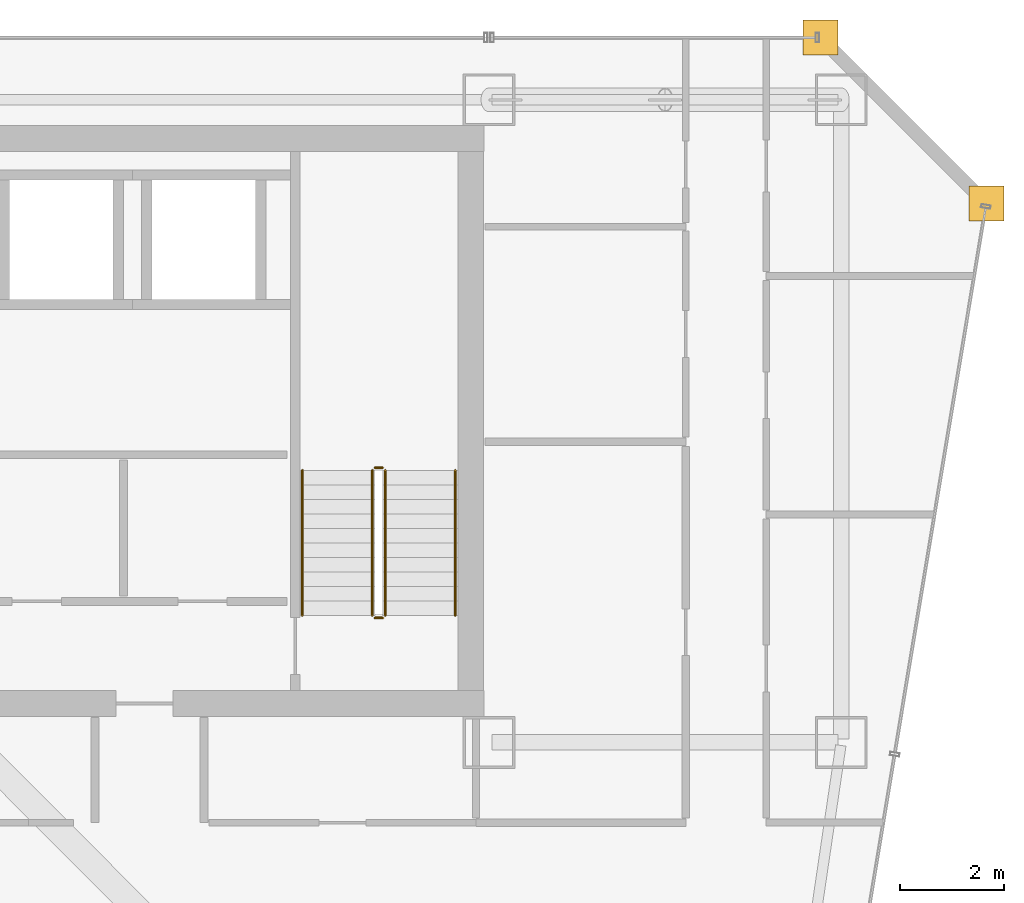
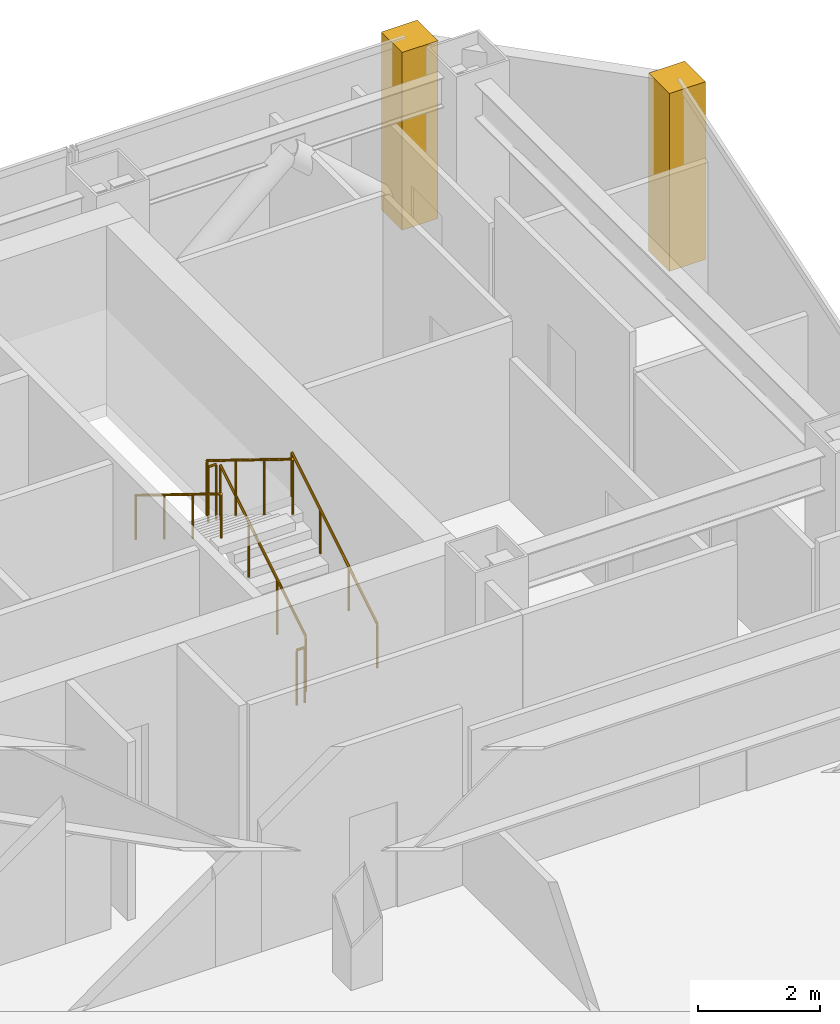
# One storey, part 37 of 37: 6 railings, 2 coverings.
"""IFC4 building model written with IfcOpenShell, lengths in metres."""

from ifc_helpers import new_model, si_unit, direction, frame, origin, origin_2d, place, context, subcontext, project, spatial, polyline, circle, outline, extrude, material, layer, layer_set, type_object, element, save


model = new_model("IFC4")

# Units and contexts
model_context = context("Model", 3, precision=1e-05, world=origin(), true_north=direction((0.0, 1.0)))
body_context = subcontext(model_context, "Body", "Model", "MODEL_VIEW")
ifc_project = project(units=[si_unit("LENGTHUNIT", "METRE"), si_unit("AREAUNIT", "SQUARE_METRE"), si_unit("VOLUMEUNIT", "CUBIC_METRE"), si_unit("PLANEANGLEUNIT", "RADIAN"), si_unit("MASSUNIT", "GRAM", prefix="KILO")], contexts=[model_context])

# Site, building, storey
site_placement = place(None, origin())
site = spatial("IfcSite", under=ifc_project, at=site_placement, CompositionType="ELEMENT")
building_placement = place(site_placement, origin())
building = spatial("IfcBuilding", under=site, at=building_placement, Name="Saevonmaru Cultural Tower", CompositionType="ELEMENT")
storey_placement = place(building_placement, frame((0.0, 0.0, 163.800048828125)))
storey = spatial("IfcBuildingStorey", under=building, at=storey_placement, Name="L36", CompositionType="ELEMENT", Elevation=163.800048828125)

# Coverings
ifc_material_1 = material(Name="Satin Bronze Anodised Aluminium", Category="aluminium")
ifc_layer = layer(ifc_material_1, 0.679931640625, Name="Satin Bronze Anodised Aluminium")
ifc_layer_set = layer_set([ifc_layer], Name="Satin Bronze Anodised Aluminium")
covering_type = type_object("IfcCoveringType", Name="CV-CORNER-CLAD", PredefinedType="CLADDING", material=ifc_layer_set)
covering_1_placement = place(storey_placement, origin())
element("IfcCovering", 1, at=covering_1_placement, inside=storey, type_object=covering_type, Name="L36 Tower Bronze Corner Cladding Pier 9", PredefinedType="CLADDING", context=body_context, shape_type="SweptSolid", body=[
    extrude(outline(polyline([(55.659912109375, 52.4599609375), (56.340087890625, 52.4599609375), (56.340087890625, 53.139892578125), (55.659912109375, 53.139892578125), (55.659912109375, 52.4599609375)])), origin(), (0.0, 0.0, 1.0), 3.550048828125),
])
covering_2_placement = place(storey_placement, origin())
element("IfcCovering", 2, at=covering_2_placement, inside=storey, type_object=covering_type, Name="L36 Tower Bronze Corner Cladding Pier 10", PredefinedType="CLADDING", context=body_context, shape_type="SweptSolid", body=[
    extrude(outline(polyline([(52.4599609375, 55.659912109375), (53.139892578125, 55.659912109375), (53.139892578125, 56.340087890625), (52.4599609375, 56.340087890625), (52.4599609375, 55.659912109375)])), origin(), (0.0, 0.0, 1.0), 3.550048828125),
])

# Railings
ifc_material_2 = material(Name="Architectural Painted Steel", Category="steel")
railing_type_1 = type_object("IfcRailingType", Name="RL-STAIR-GUARD", PredefinedType="GUARDRAIL", material=ifc_material_2)
railing_1_placement = place(storey_placement, frame((44.39990234375, 44.85009765625, 0.172607421875)))
element("IfcRailing", 3, at=railing_1_placement, inside=storey, type_object=railing_type_1, Name="L36 ST-2 stair guard 1", PredefinedType="GUARDRAIL", context=body_context, shape_type="SweptSolid", body=[
    extrude(circle(Radius=0.02392578125, at=origin_2d()), frame((0.0, 0.0, 1.09619140625), z_axis=(0.0, 0.851069175582, 0.525053576669), x_axis=(-1.0, 0.0, 0.0)), (0.0, 0.0, 1.0), 3.289794921875),
    extrude(circle(Radius=0.02099609375, at=origin_2d()), origin(), (0.0, 0.0, 1.0), 1.072021484375),
    extrude(circle(Radius=0.02099609375, at=origin_2d()), frame((0.0, 0.933349609375, 0.57568359375)), (0.0, 0.0, 1.0), 1.072021484375),
    extrude(circle(Radius=0.02099609375, at=origin_2d()), frame((0.0, 1.866455078125, 1.151611328125)), (0.0, 0.0, 1.0), 1.072021484375),
    extrude(circle(Radius=0.02099609375, at=origin_2d()), frame((0.0, 2.7998046875, 1.727294921875)), (0.0, 0.0, 1.0), 1.072021484375),
])
railing_2_placement = place(storey_placement, frame((44.35009765625, 47.699951171875, 1.89990234375)))
element("IfcRailing", 4, at=railing_2_placement, inside=storey, type_object=railing_type_1, Name="L36 ST-2 stair guard 2", PredefinedType="GUARDRAIL", context=body_context, shape_type="SweptSolid", body=[
    extrude(circle(Radius=0.02392578125, at=origin_2d()), frame((0.0, 0.0, 1.09619140625), z_axis=(-1.0, 0.0, 0.0), x_axis=(0.0, -1.0, 0.0)), (0.0, 0.0, 1.0), 0.150146484375),
    extrude(circle(Radius=0.02099609375, at=origin_2d()), origin(), (0.0, 0.0, 1.0), 1.072021484375),
    extrude(circle(Radius=0.02099609375, at=origin_2d()), frame((-0.150146484375, 0.0, 0.0)), (0.0, 0.0, 1.0), 1.072021484375),
])
railing_3_placement = place(storey_placement, frame((44.14990234375, 47.64990234375, 2.07275390625)))
element("IfcRailing", 5, at=railing_3_placement, inside=storey, type_object=railing_type_1, Name="L36 ST-2 stair guard 3", PredefinedType="GUARDRAIL", context=body_context, shape_type="SweptSolid", body=[
    extrude(circle(Radius=0.02392578125, at=origin_2d()), frame((0.0, 0.0, 1.09619140625), z_axis=(0.0, -0.851069175582, 0.525053576669), x_axis=(1.0, 0.0, 0.0)), (0.0, 0.0, 1.0), 3.289794921875),
    extrude(circle(Radius=0.02099609375, at=origin_2d()), origin(), (0.0, 0.0, 1.0), 1.072021484375),
    extrude(circle(Radius=0.02099609375, at=origin_2d()), frame((0.0, -0.933349609375, 0.57568359375)), (0.0, 0.0, 1.0), 1.072021484375),
    extrude(circle(Radius=0.02099609375, at=origin_2d()), frame((0.0, -1.866455078125, 1.151611328125)), (0.0, 0.0, 1.0), 1.072021484375),
    extrude(circle(Radius=0.02099609375, at=origin_2d()), frame((0.0, -2.7998046875, 1.727294921875)), (0.0, 0.0, 1.0), 1.072021484375),
])
railing_4_placement = place(storey_placement, frame((44.35009765625, 44.800048828125, 0.0)))
element("IfcRailing", 6, at=railing_4_placement, inside=storey, type_object=railing_type_1, Name="L36 ST-2 stair guard 4", PredefinedType="GUARDRAIL", context=body_context, shape_type="SweptSolid", body=[
    extrude(circle(Radius=0.02392578125, at=origin_2d()), frame((0.0, 0.0, 1.09619140625), z_axis=(-1.0, 0.0, 0.0), x_axis=(0.0, -1.0, 0.0)), (0.0, 0.0, 1.0), 0.150146484375),
    extrude(circle(Radius=0.02099609375, at=origin_2d()), origin(), (0.0, 0.0, 1.0), 1.072021484375),
    extrude(circle(Radius=0.02099609375, at=origin_2d()), frame((-0.150146484375, 0.0, 0.0)), (0.0, 0.0, 1.0), 1.072021484375),
])
railing_type_2 = type_object("IfcRailingType", Name="RL-STAIR-HANDRAIL", PredefinedType="HANDRAIL", material=ifc_material_1)
railing_5_placement = place(storey_placement, frame((45.75, 44.85009765625, 0.172607421875)))
element("IfcRailing", 7, at=railing_5_placement, inside=storey, type_object=railing_type_2, Name="L36 ST-2 stair handrail 1", PredefinedType="HANDRAIL", context=body_context, shape_type="SweptSolid", body=[
    extrude(circle(Radius=0.02392578125, at=origin_2d()), frame((0.0, 0.0, 0.8759765625), z_axis=(0.0, 0.851069175582, 0.525053576669), x_axis=(-1.0, 0.0, 0.0)), (0.0, 0.0, 1.0), 3.289794921875),
    extrude(circle(Radius=0.02099609375, at=origin_2d()), origin(), (0.0, 0.0, 1.0), 0.851806640625),
    extrude(circle(Radius=0.02099609375, at=origin_2d()), frame((0.0, 0.933349609375, 0.57568359375)), (0.0, 0.0, 1.0), 0.851806640625),
    extrude(circle(Radius=0.02099609375, at=origin_2d()), frame((0.0, 1.866455078125, 1.151611328125)), (0.0, 0.0, 1.0), 0.851806640625),
    extrude(circle(Radius=0.02099609375, at=origin_2d()), frame((0.0, 2.7998046875, 1.727294921875)), (0.0, 0.0, 1.0), 0.851806640625),
])
railing_6_placement = place(storey_placement, frame((42.800048828125, 47.64990234375, 2.07275390625)))
element("IfcRailing", 8, at=railing_6_placement, inside=storey, type_object=railing_type_2, Name="L36 ST-2 stair handrail 2", PredefinedType="HANDRAIL", context=body_context, shape_type="SweptSolid", body=[
    extrude(circle(Radius=0.02392578125, at=origin_2d()), frame((0.0, 0.0, 0.8759765625), z_axis=(0.0, -0.851069175582, 0.525053576669), x_axis=(1.0, 0.0, 0.0)), (0.0, 0.0, 1.0), 3.289794921875),
    extrude(circle(Radius=0.02099609375, at=origin_2d()), origin(), (0.0, 0.0, 1.0), 0.851806640625),
    extrude(circle(Radius=0.02099609375, at=origin_2d()), frame((0.0, -0.933349609375, 0.57568359375)), (0.0, 0.0, 1.0), 0.851806640625),
    extrude(circle(Radius=0.02099609375, at=origin_2d()), frame((0.0, -1.866455078125, 1.151611328125)), (0.0, 0.0, 1.0), 0.851806640625),
    extrude(circle(Radius=0.02099609375, at=origin_2d()), frame((0.0, -2.7998046875, 1.727294921875)), (0.0, 0.0, 1.0), 0.851806640625),
])

save(model, "model.ifc")
